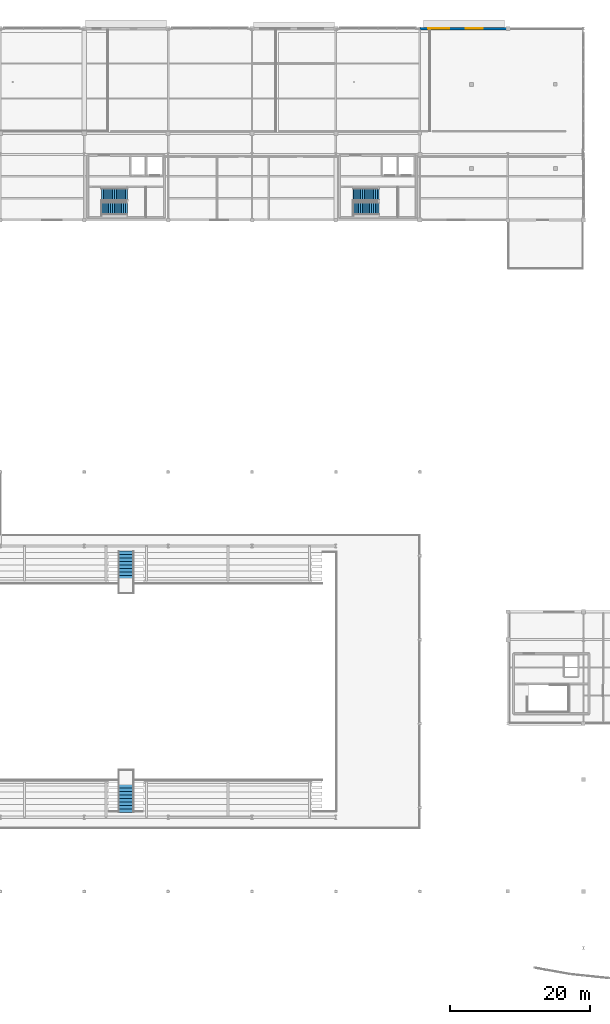
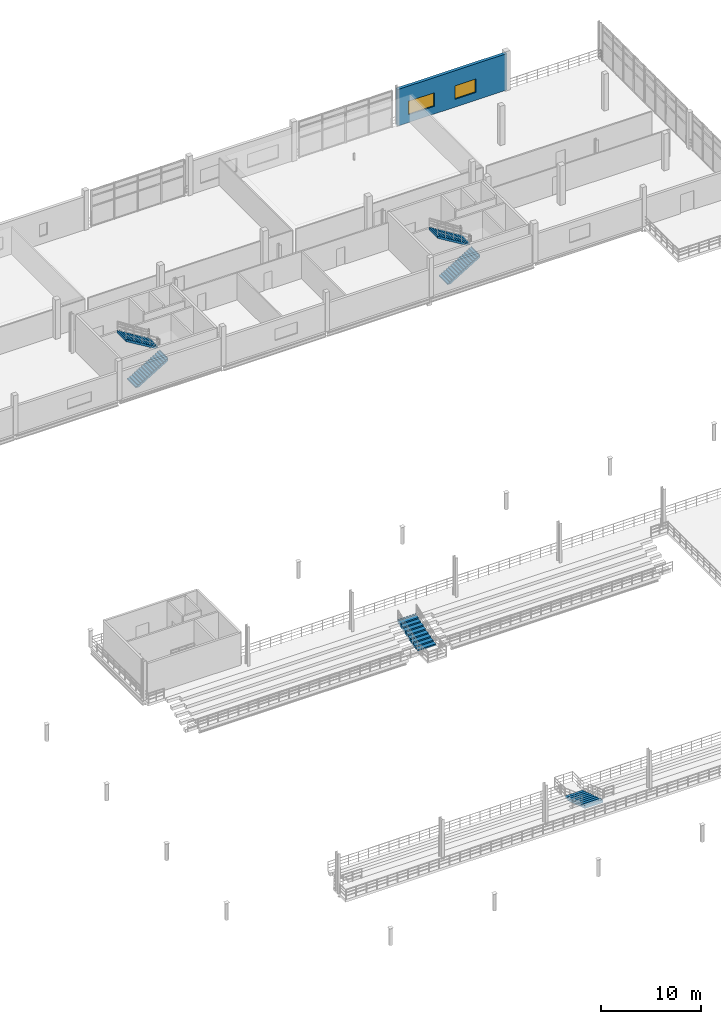
# One storey, part 42 of 52: 6 stair flights, 2 windows, 1 wall, 2 openings, 4 elements without a shape of their own.
"""IFC4 building model written with IfcOpenShell, lengths in metres."""

from ifc_helpers import new_model, si_unit, direction, frame, frame_2d, origin, place, context, subcontext, project, spatial, polyline, rectangle, outline, extrude, material, layer, layer_set, type_object, element, fill, aggregate, save


model = new_model("IFC4")

# Units and contexts
model_context = context("Model", 3, precision=1e-05, world=origin(), true_north=direction((0.0, 1.0)))
body_context = subcontext(model_context, "Body", "Model", "MODEL_VIEW")
ifc_project = project(units=[si_unit("LENGTHUNIT", "METRE"), si_unit("AREAUNIT", "SQUARE_METRE"), si_unit("VOLUMEUNIT", "CUBIC_METRE"), si_unit("PLANEANGLEUNIT", "RADIAN"), si_unit("MASSUNIT", "GRAM", prefix="KILO"), si_unit("THERMODYNAMICTEMPERATUREUNIT", "KELVIN"), si_unit("POWERUNIT", "WATT")], contexts=[model_context])

# Site, building, storey
site_placement = place(None, origin())
site = spatial("IfcSite", under=ifc_project, at=site_placement, CompositionType="ELEMENT")
building_placement = place(site_placement, origin())
building = spatial("IfcBuilding", under=site, at=building_placement, Name="Solmara Park Aquatics Centre", CompositionType="ELEMENT")
storey_placement = place(building_placement, frame((0.0, 0.0, 9.60009765625)))
storey = spatial("IfcBuildingStorey", under=building, at=storey_placement, Name="L02", CompositionType="ELEMENT", Elevation=9.60009765625)

# Wall, openings, windows
ifc_material_1 = material(Name="Insulated Limestone Render Wall", Category="masonry")
ifc_layer_1 = layer(ifc_material_1, 0.35009765625, Name="Insulated Limestone Render Wall")
ifc_layer_set_1 = layer_set([ifc_layer_1], Name="Insulated Limestone Render Wall")
wall_type = type_object("IfcWallType", Name="ARC-WL-EXT350", PredefinedType="SOLIDWALL", material=ifc_layer_set_1)
wall_placement = place(storey_placement, frame((96.60009765625, 136.0, 0.0), z_axis=(0.0, 0.0, 1.0), x_axis=(1.0, 0.0, 0.0)))
wall = element("IfcWall", 1, at=wall_placement, inside=storey, type_object=wall_type, Name="Exterior Facade Wall EW-L02-032", PredefinedType="SOLIDWALL", context=body_context, shape_type="SweptSolid", body=[
    extrude(rectangle(XDim=12.599853515625, YDim=0.35009765625, at=frame_2d((6.2998046875, 0.0))), origin(), (0.0, 0.0, 1.0), 4.449951171875),
])
opening_1_placement = place(wall_placement, frame((1.199951171875, 0.0, 0.949951171875)))
opening_1 = element("IfcOpeningElement", 2, at=opening_1_placement, cuts=wall, Name="Opening W-23", PredefinedType="OPENING", context=body_context, shape_type="SweptSolid", body=[
    extrude(rectangle(XDim=3.0, YDim=1.64990234375, at=frame_2d((1.5, 0.824951171875))), frame((0.0, 0.18505859375, 0.0), z_axis=(0.0, -1.0, 0.0), x_axis=(1.0, 0.0, 0.0)), (0.0, 0.0, 1.0), 0.3701171875),
])
opening_2_placement = place(wall_placement, frame((6.60009765625, 0.0, 0.949951171875)))
opening_2 = element("IfcOpeningElement", 3, at=opening_2_placement, cuts=wall, Name="Opening W-24", PredefinedType="OPENING", context=body_context, shape_type="SweptSolid", body=[
    extrude(rectangle(XDim=2.39990234375, YDim=1.64990234375, at=frame_2d((1.199951171875, 0.824951171875))), frame((0.0, 0.18505859375, 0.0), z_axis=(0.0, -1.0, 0.0), x_axis=(1.0, 0.0, 0.0)), (0.0, 0.0, 1.0), 0.3701171875),
])
ifc_material_2 = material(Name="Thermally Broken Aluminium and Low-E Double Glazing", Category="aluminium")
window_type_1 = type_object("IfcWindowType", Name="ARC-WN-240x165", PartitioningType="DOUBLE_PANEL_VERTICAL", PredefinedType="WINDOW", material=ifc_material_2)
window_1_placement = place(opening_2_placement, origin())
window_1 = element("IfcWindow", 4, at=window_1_placement, inside=storey, type_object=window_type_1, Name="Ribbon Window WN-078", OverallHeight=1.64990234375, OverallWidth=2.39990234375, PartitioningType="DOUBLE_PANEL_VERTICAL", PredefinedType="WINDOW", context=body_context, shape_type="SweptSolid", body=[
    extrude(rectangle(XDim=2.39990234375, YDim=1.64990234375, at=frame_2d((1.199951171875, 0.824951171875))), frame((0.0, 0.030029296875, 0.0), z_axis=(0.0, -1.0, 0.0), x_axis=(1.0, 0.0, 0.0)), (0.0, 0.0, 1.0), 0.06005859375),
])
fill(opening_2, window_1)
window_type_2 = type_object("IfcWindowType", Name="ARC-WN-300x165", PartitioningType="DOUBLE_PANEL_HORIZONTAL", PredefinedType="WINDOW", material=ifc_material_2)
window_2_placement = place(opening_1_placement, origin())
window_2 = element("IfcWindow", 5, at=window_2_placement, inside=storey, type_object=window_type_2, Name="Ribbon Window WN-077", OverallHeight=1.64990234375, OverallWidth=3.0, PartitioningType="DOUBLE_PANEL_HORIZONTAL", PredefinedType="WINDOW", context=body_context, shape_type="SweptSolid", body=[
    extrude(rectangle(XDim=3.0, YDim=1.64990234375, at=frame_2d((1.5, 0.824951171875))), frame((0.0, 0.030029296875, 0.0), z_axis=(0.0, -1.0, 0.0), x_axis=(1.0, 0.0, 0.0)), (0.0, 0.0, 1.0), 0.06005859375),
])
fill(opening_1, window_2)

# Stair, stair flight
ifc_material_3 = material(Name="Concrete C40/50", Category="concrete")
stair_type_1 = type_object("IfcStairType", Name="ARC-ST-VOM2", PredefinedType="STRAIGHT_RUN_STAIR", material=ifc_material_3)
stair_1_placement = place(storey_placement, origin())
stair_1 = element("IfcStair", 6, at=stair_1_placement, inside=storey, type_object=stair_type_1, Name="Vomitory Stair VS-05", PredefinedType="STRAIGHT_RUN_STAIR")
ifc_layer_2 = layer(ifc_material_3, 0.219970703125, Name="Concrete C40/50")
ifc_layer_set_2 = layer_set([ifc_layer_2], Name="Concrete C40/50")
stair_flight_type_1 = type_object("IfcStairFlightType", Name="ARC-STF-05", PredefinedType="STRAIGHT", material=ifc_layer_set_2)
stair_flight_1_placement = place(storey_placement, frame((54.60009765625, 57.31005859375, -1.440185546875), z_axis=(0.0, 0.0, 1.0), x_axis=(0.0, 1.0, 0.0)))
stair_flight_1 = element("IfcStairFlight", 7, at=stair_flight_1_placement, type_object=stair_flight_type_1, Name="VS-05 flight 1", NumberOfRisers=9, NumberOfTreads=8, PredefinedType="STRAIGHT", RiserHeight=0.16, TreadLength=0.4975, context=body_context, shape_type="SweptSolid", body=[
    extrude(outline(polyline([(0.0, 0.0), (0.0, 0.159912109375), (0.49755859375, 0.159912109375), (0.49755859375, 0.320068359375), (0.9951171875, 0.320068359375), (0.9951171875, 0.47998046875), (1.492431640625, 0.47998046875), (1.492431640625, 0.639892578125), (1.989990234375, 0.639892578125), (1.989990234375, 0.800048828125), (2.487548828125, 0.800048828125), (2.487548828125, 0.9599609375), (2.985107421875, 0.9599609375), (2.985107421875, 1.1201171875), (3.482421875, 1.1201171875), (3.482421875, 1.280029296875), (3.97998046875, 1.280029296875), (3.97998046875, 1.43994140625), (4.0, 1.43994140625), (4.0, 1.048828125), (0.738525390625, 0.0), (0.0, 0.0)])), frame((0.0, 1.050048828125, 0.0), z_axis=(0.0, -1.0, 0.0), x_axis=(1.0, 0.0, 0.0)), (0.0, 0.0, 1.0), 2.10009765625),
])
aggregate(stair_1, [stair_flight_1])

stair_2_placement = place(storey_placement, origin())
stair_2 = element("IfcStair", 8, at=stair_2_placement, inside=storey, type_object=stair_type_1, Name="Vomitory Stair VS-06", PredefinedType="STRAIGHT_RUN_STAIR")
stair_flight_2_placement = place(storey_placement, frame((54.60009765625, 27.889892578125, -1.440185546875), z_axis=(0.0, 0.0, 1.0), x_axis=(0.0, -1.0, 0.0)))
stair_flight_2 = element("IfcStairFlight", 9, at=stair_flight_2_placement, type_object=stair_flight_type_1, Name="VS-06 flight 1", NumberOfRisers=9, NumberOfTreads=8, PredefinedType="STRAIGHT", RiserHeight=0.16, TreadLength=0.4975, context=body_context, shape_type="SweptSolid", body=[
    extrude(outline(polyline([(0.0, 0.0), (0.0, 0.159912109375), (0.49755859375, 0.159912109375), (0.49755859375, 0.320068359375), (0.9951171875, 0.320068359375), (0.9951171875, 0.47998046875), (1.492431640625, 0.47998046875), (1.492431640625, 0.639892578125), (1.989990234375, 0.639892578125), (1.989990234375, 0.800048828125), (2.487548828125, 0.800048828125), (2.487548828125, 0.9599609375), (2.985107421875, 0.9599609375), (2.985107421875, 1.1201171875), (3.482421875, 1.1201171875), (3.482421875, 1.280029296875), (3.97998046875, 1.280029296875), (3.97998046875, 1.43994140625), (4.0, 1.43994140625), (4.0, 1.048828125), (0.738525390625, 0.0), (0.0, 0.0)])), frame((0.0, 1.050048828125, 0.0), z_axis=(0.0, -1.0, 0.0), x_axis=(1.0, 0.0, 0.0)), (0.0, 0.0, 1.0), 2.10009765625),
])
aggregate(stair_2, [stair_flight_2])

# Stair, stair flights
stair_type_2 = type_object("IfcStairType", Name="ARC-ST-CORE", PredefinedType="HALF_TURN_STAIR", material=ifc_material_3)
stair_3_placement = place(storey_placement, origin())
stair_3 = element("IfcStair", 10, at=stair_3_placement, inside=storey, type_object=stair_type_2, Name="ST-01 Protected Exit Stair (L02 to L03)", PredefinedType="HALF_TURN_STAIR")
ifc_layer_3 = layer(ifc_material_3, 0.219970703125, Name="Concrete C40/50")
ifc_layer_set_3 = layer_set([ifc_layer_3], Name="Concrete C40/50")
stair_flight_type_2 = type_object("IfcStairFlightType", Name="ARC-STF-07", PredefinedType="STRAIGHT", material=ifc_layer_set_3)
stair_flight_3_placement = place(storey_placement, frame((51.050048828125, 110.235107421875, 0.0), z_axis=(0.0, 0.0, 1.0), x_axis=(1.0, 0.0, 0.0)))
stair_flight_3 = element("IfcStairFlight", 11, at=stair_flight_3_placement, type_object=stair_flight_type_2, Name="ST-01 flight 1", NumberOfRisers=15, NumberOfTreads=14, PredefinedType="STRAIGHT", RiserHeight=0.16, TreadLength=0.265, context=body_context, shape_type="SweptSolid", body=[
    extrude(outline(polyline([(0.0, 0.0), (0.0, 0.159912109375), (0.264892578125, 0.159912109375), (0.264892578125, 0.320068359375), (0.530029296875, 0.320068359375), (0.530029296875, 0.47998046875), (0.794921875, 0.47998046875), (0.794921875, 0.639892578125), (1.06005859375, 0.639892578125), (1.06005859375, 0.800048828125), (1.324951171875, 0.800048828125), (1.324951171875, 0.9599609375), (1.590087890625, 0.9599609375), (1.590087890625, 1.1201171875), (1.85498046875, 1.1201171875), (1.85498046875, 1.280029296875), (2.1201171875, 1.280029296875), (2.1201171875, 1.43994140625), (2.385009765625, 1.43994140625), (2.385009765625, 1.60009765625), (2.64990234375, 1.60009765625), (2.64990234375, 1.760009765625), (2.9150390625, 1.760009765625), (2.9150390625, 1.919921875), (3.179931640625, 1.919921875), (3.179931640625, 2.080078125), (3.445068359375, 2.080078125), (3.445068359375, 2.239990234375), (3.7099609375, 2.239990234375), (3.7099609375, 2.39990234375), (3.72998046875, 2.39990234375), (3.72998046875, 2.02978515625), (0.3681640625, 0.0), (0.0, 0.0)])), frame((0.0, 0.864990234375, 0.0), z_axis=(0.0, -1.0, 0.0), x_axis=(1.0, 0.0, 0.0)), (0.0, 0.0, 1.0), 1.72998046875),
])
stair_flight_4_placement = place(storey_placement, frame((54.7900390625, 112.264892578125, 2.39990234375), z_axis=(0.0, 0.0, 1.0), x_axis=(-1.0, 0.0, 0.0)))
stair_flight_4 = element("IfcStairFlight", 12, at=stair_flight_4_placement, type_object=stair_flight_type_2, Name="ST-01 flight 2", NumberOfRisers=15, NumberOfTreads=14, PredefinedType="STRAIGHT", RiserHeight=0.16, TreadLength=0.265, context=body_context, shape_type="SweptSolid", body=[
    extrude(outline(polyline([(0.0, 0.0), (0.0, 0.159912109375), (0.264892578125, 0.159912109375), (0.264892578125, 0.320068359375), (0.530029296875, 0.320068359375), (0.530029296875, 0.47998046875), (0.794921875, 0.47998046875), (0.794921875, 0.639892578125), (1.06005859375, 0.639892578125), (1.06005859375, 0.800048828125), (1.324951171875, 0.800048828125), (1.324951171875, 0.9599609375), (1.590087890625, 0.9599609375), (1.590087890625, 1.1201171875), (1.85498046875, 1.1201171875), (1.85498046875, 1.280029296875), (2.1201171875, 1.280029296875), (2.1201171875, 1.43994140625), (2.385009765625, 1.43994140625), (2.385009765625, 1.60009765625), (2.64990234375, 1.60009765625), (2.64990234375, 1.760009765625), (2.9150390625, 1.760009765625), (2.9150390625, 1.919921875), (3.179931640625, 1.919921875), (3.179931640625, 2.080078125), (3.445068359375, 2.080078125), (3.445068359375, 2.239990234375), (3.7099609375, 2.239990234375), (3.7099609375, 2.39990234375), (3.72998046875, 2.39990234375), (3.72998046875, 2.02978515625), (0.3681640625, 0.0), (0.0, 0.0)])), frame((0.0, 0.864990234375, 0.0), z_axis=(0.0, -1.0, 0.0), x_axis=(1.0, 0.0, 0.0)), (0.0, 0.0, 1.0), 1.72998046875),
])
aggregate(stair_3, [stair_flight_3, stair_flight_4])

stair_4_placement = place(storey_placement, origin())
stair_4 = element("IfcStair", 13, at=stair_4_placement, inside=storey, type_object=stair_type_2, Name="ST-02 Protected Exit Stair (L02 to L03)", PredefinedType="HALF_TURN_STAIR")
stair_flight_5_placement = place(storey_placement, frame((87.050048828125, 110.235107421875, 0.0), z_axis=(0.0, 0.0, 1.0), x_axis=(1.0, 0.0, 0.0)))
stair_flight_5 = element("IfcStairFlight", 14, at=stair_flight_5_placement, type_object=stair_flight_type_2, Name="ST-02 flight 1", NumberOfRisers=15, NumberOfTreads=14, PredefinedType="STRAIGHT", RiserHeight=0.16, TreadLength=0.265, context=body_context, shape_type="SweptSolid", body=[
    extrude(outline(polyline([(0.0, 0.0), (0.0, 0.159912109375), (0.264892578125, 0.159912109375), (0.264892578125, 0.320068359375), (0.530029296875, 0.320068359375), (0.530029296875, 0.47998046875), (0.794921875, 0.47998046875), (0.794921875, 0.639892578125), (1.06005859375, 0.639892578125), (1.06005859375, 0.800048828125), (1.324951171875, 0.800048828125), (1.324951171875, 0.9599609375), (1.590087890625, 0.9599609375), (1.590087890625, 1.1201171875), (1.85498046875, 1.1201171875), (1.85498046875, 1.280029296875), (2.1201171875, 1.280029296875), (2.1201171875, 1.43994140625), (2.385009765625, 1.43994140625), (2.385009765625, 1.60009765625), (2.64990234375, 1.60009765625), (2.64990234375, 1.760009765625), (2.9150390625, 1.760009765625), (2.9150390625, 1.919921875), (3.179931640625, 1.919921875), (3.179931640625, 2.080078125), (3.445068359375, 2.080078125), (3.445068359375, 2.239990234375), (3.7099609375, 2.239990234375), (3.7099609375, 2.39990234375), (3.72998046875, 2.39990234375), (3.72998046875, 2.02978515625), (0.3681640625, 0.0), (0.0, 0.0)])), frame((0.0, 0.864990234375, 0.0), z_axis=(0.0, -1.0, 0.0), x_axis=(1.0, 0.0, 0.0)), (0.0, 0.0, 1.0), 1.72998046875),
])
stair_flight_6_placement = place(storey_placement, frame((90.7900390625, 112.264892578125, 2.39990234375), z_axis=(0.0, 0.0, 1.0), x_axis=(-1.0, 0.0, 0.0)))
stair_flight_6 = element("IfcStairFlight", 15, at=stair_flight_6_placement, type_object=stair_flight_type_2, Name="ST-02 flight 2", NumberOfRisers=15, NumberOfTreads=14, PredefinedType="STRAIGHT", RiserHeight=0.16, TreadLength=0.265, context=body_context, shape_type="SweptSolid", body=[
    extrude(outline(polyline([(0.0, 0.0), (0.0, 0.159912109375), (0.264892578125, 0.159912109375), (0.264892578125, 0.320068359375), (0.530029296875, 0.320068359375), (0.530029296875, 0.47998046875), (0.794921875, 0.47998046875), (0.794921875, 0.639892578125), (1.06005859375, 0.639892578125), (1.06005859375, 0.800048828125), (1.324951171875, 0.800048828125), (1.324951171875, 0.9599609375), (1.590087890625, 0.9599609375), (1.590087890625, 1.1201171875), (1.85498046875, 1.1201171875), (1.85498046875, 1.280029296875), (2.1201171875, 1.280029296875), (2.1201171875, 1.43994140625), (2.385009765625, 1.43994140625), (2.385009765625, 1.60009765625), (2.64990234375, 1.60009765625), (2.64990234375, 1.760009765625), (2.9150390625, 1.760009765625), (2.9150390625, 1.919921875), (3.179931640625, 1.919921875), (3.179931640625, 2.080078125), (3.445068359375, 2.080078125), (3.445068359375, 2.239990234375), (3.7099609375, 2.239990234375), (3.7099609375, 2.39990234375), (3.72998046875, 2.39990234375), (3.72998046875, 2.02978515625), (0.3681640625, 0.0), (0.0, 0.0)])), frame((0.0, 0.864990234375, 0.0), z_axis=(0.0, -1.0, 0.0), x_axis=(1.0, 0.0, 0.0)), (0.0, 0.0, 1.0), 1.72998046875),
])
aggregate(stair_4, [stair_flight_5, stair_flight_6])

save(model, "model.ifc")
